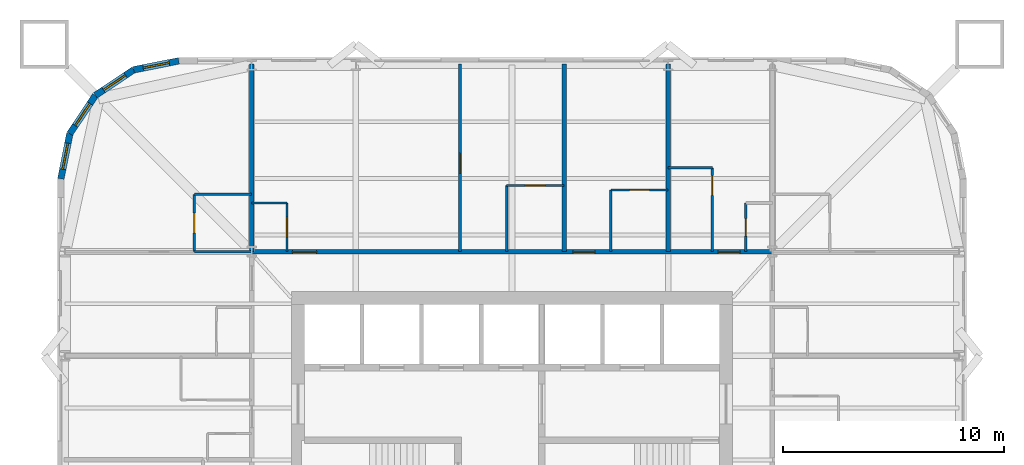
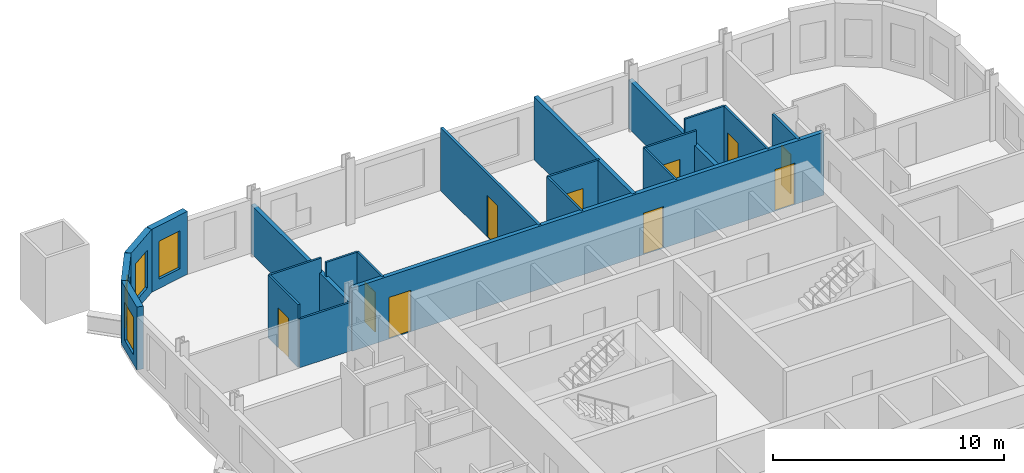
# One storey, part 7 of 9: 21 walls, 10 doors, 4 windows, 14 openings.
"""IFC4 building model written with IfcOpenShell, lengths in metres."""

from ifc_helpers import new_model, si_unit, direction, frame, frame_2d, origin, place, context, subcontext, project, spatial, rectangle, extrude, material, layer, layer_set, type_object, element, fill, save


model = new_model("IFC4")

# Units and contexts
model_context = context("Model", 3, precision=1e-05, world=origin(), true_north=direction((0.0, 1.0)))
body_context = subcontext(model_context, "Body", "Model", "MODEL_VIEW")
ifc_project = project(units=[si_unit("LENGTHUNIT", "METRE"), si_unit("AREAUNIT", "SQUARE_METRE"), si_unit("VOLUMEUNIT", "CUBIC_METRE"), si_unit("PLANEANGLEUNIT", "RADIAN"), si_unit("MASSUNIT", "GRAM", prefix="KILO")], contexts=[model_context])

# Site, building, storey
site_placement = place(None, origin())
site = spatial("IfcSite", under=ifc_project, at=site_placement, CompositionType="ELEMENT")
building_placement = place(site_placement, origin())
building = spatial("IfcBuilding", under=site, at=building_placement, Name="Turquesa Mirador Hotel Tower", CompositionType="ELEMENT")
storey_placement = place(building_placement, frame((0.0, 0.0, 135.39990234375)))
storey = spatial("IfcBuildingStorey", under=building, at=storey_placement, Name="L36", CompositionType="ELEMENT", Elevation=135.39990234375)

# Walls
ifc_material_1 = material(Name="Gypsum board on steel studs", Category="steel")
ifc_layer_1 = layer(ifc_material_1, 0.10009765625)
ifc_layer_set_1 = layer_set([ifc_layer_1], Name="BATHROOM WALL 100")
wall_type_1 = type_object("IfcWallType", Name="BATHROOM WALL 100", PredefinedType="PARTITIONING", material=ifc_layer_set_1)
wall_1_placement = place(storey_placement, frame((40.60009765625, 56.800048828125, 0.0), z_axis=(0.0, 0.0, 1.0), x_axis=(1.0, 0.0, 0.0)))
element("IfcWall", 1, at=wall_1_placement, inside=storey, type_object=wall_type_1, Name="Partition L36 026", PredefinedType="PARTITIONING", context=body_context, shape_type="SweptSolid", body=[
    extrude(rectangle(XDim=2.599853515625, YDim=0.10009765625, at=frame_2d((1.2998046875, 0.0))), origin(), (0.0, 0.0, 1.0), 2.5732421875),
])
wall_2_placement = place(storey_placement, frame((43.199951171875, 59.0, 0.0), z_axis=(0.0, 0.0, 1.0), x_axis=(1.0, 0.0, 0.0)))
element("IfcWall", 2, at=wall_2_placement, inside=storey, type_object=wall_type_1, Name="Partition L36 031", PredefinedType="PARTITIONING", context=body_context, shape_type="SweptSolid", body=[
    extrude(rectangle(XDim=1.60009765625, YDim=0.10009765625, at=frame_2d((0.800048828125, 0.0))), origin(), (0.0, 0.0, 1.0), 3.330078125),
])
wall_3_placement = place(storey_placement, frame((40.60009765625, 59.39990234375, 0.0), z_axis=(0.0, 0.0, 1.0), x_axis=(1.0, 0.0, 0.0)))
element("IfcWall", 3, at=wall_3_placement, inside=storey, type_object=wall_type_1, Name="Partition L36 033", PredefinedType="PARTITIONING", context=body_context, shape_type="SweptSolid", body=[
    extrude(rectangle(XDim=2.599853515625, YDim=0.10009765625, at=frame_2d((1.2998046875, 0.0))), origin(), (0.0, 0.0, 1.0), 3.330078125),
])

# Wall, opening, door
wall_4_placement = place(storey_placement, frame((59.47998046875, 59.60009765625, 0.0), z_axis=(0.0, 0.0, 1.0), x_axis=(1.0, 0.0, 0.0)))
wall_4 = element("IfcWall", 4, at=wall_4_placement, inside=storey, type_object=wall_type_1, Name="Partition L36 035", PredefinedType="PARTITIONING", context=body_context, shape_type="SweptSolid", body=[
    extrude(rectangle(XDim=2.60009765625, YDim=0.10009765625, at=frame_2d((1.300048828125, 0.0))), origin(), (0.0, 0.0, 1.0), 3.330078125),
])
opening_1_placement = place(wall_4_placement, frame((0.85009765625, 0.0, 0.0)))
opening_1 = element("IfcOpeningElement", 5, at=opening_1_placement, cuts=wall_4, Name="Opening D02", PredefinedType="OPENING", context=body_context, shape_type="SweptSolid", body=[
    extrude(rectangle(XDim=0.89990234375, YDim=2.10009765625, at=frame_2d((0.449951171875, 1.050048828125))), frame((0.0, 0.06005859375, 0.0), z_axis=(0.0, -1.0, 0.0), x_axis=(1.0, 0.0, 0.0)), (0.0, 0.0, 1.0), 0.1201171875),
])
ifc_material_2 = material(Name="Timber veneered door", Category="wood")
door_type_1 = type_object("IfcDoorType", Name="DOOR 900X2100 EN-SUITE", OperationType="SINGLE_SWING_RIGHT", PredefinedType="DOOR", material=ifc_material_2)
door_1_placement = place(opening_1_placement, origin())
door_1 = element("IfcDoor", 6, at=door_1_placement, inside=storey, type_object=door_type_1, Name="Door 3602B", OperationType="SINGLE_SWING_RIGHT", OverallHeight=2.10009765625, OverallWidth=0.89990234375, PredefinedType="DOOR", context=body_context, shape_type="SweptSolid", body=[
    extrude(rectangle(XDim=0.89990234375, YDim=2.10009765625, at=frame_2d((0.449951171875, 1.050048828125))), frame((0.0, 0.02490234375, 0.0), z_axis=(0.0, -1.0, 0.0), x_axis=(1.0, 0.0, 0.0)), (0.0, 0.0, 1.0), 0.050048828125),
])
fill(opening_1, door_1)

wall_5_placement = place(storey_placement, frame((54.760009765625, 59.800048828125, 0.0), z_axis=(0.0, 0.0, 1.0), x_axis=(1.0, 0.0, 0.0)))
wall_5 = element("IfcWall", 7, at=wall_5_placement, inside=storey, type_object=wall_type_1, Name="Partition L36 036", PredefinedType="PARTITIONING", context=body_context, shape_type="SweptSolid", body=[
    extrude(rectangle(XDim=2.60009765625, YDim=0.10009765625, at=frame_2d((1.300048828125, 0.0))), origin(), (0.0, 0.0, 1.0), 3.330078125),
])
opening_2_placement = place(wall_5_placement, frame((0.85009765625, 0.0, 0.0)))
opening_2 = element("IfcOpeningElement", 8, at=opening_2_placement, cuts=wall_5, Name="Opening D02", PredefinedType="OPENING", context=body_context, shape_type="SweptSolid", body=[
    extrude(rectangle(XDim=0.89990234375, YDim=2.10009765625, at=frame_2d((0.449951171875, 1.050048828125))), frame((0.0, 0.06005859375, 0.0), z_axis=(0.0, -1.0, 0.0), x_axis=(1.0, 0.0, 0.0)), (0.0, 0.0, 1.0), 0.1201171875),
])
door_2_placement = place(opening_2_placement, origin())
door_2 = element("IfcDoor", 9, at=door_2_placement, inside=storey, type_object=door_type_1, Name="Door 3601B", OperationType="SINGLE_SWING_RIGHT", OverallHeight=2.10009765625, OverallWidth=0.89990234375, PredefinedType="DOOR", context=body_context, shape_type="SweptSolid", body=[
    extrude(rectangle(XDim=0.89990234375, YDim=2.10009765625, at=frame_2d((0.449951171875, 1.050048828125))), frame((0.0, 0.02490234375, 0.0), z_axis=(0.0, -1.0, 0.0), x_axis=(1.0, 0.0, 0.0)), (0.0, 0.0, 1.0), 0.050048828125),
])
fill(opening_2, door_2)

# Walls
wall_6_placement = place(storey_placement, frame((62.080078125, 60.60009765625, 0.0), z_axis=(0.0, 0.0, 1.0), x_axis=(1.0, 0.0, 0.0)))
element("IfcWall", 10, at=wall_6_placement, inside=storey, type_object=wall_type_1, Name="Partition L36 037", PredefinedType="PARTITIONING", context=body_context, shape_type="SweptSolid", body=[
    extrude(rectangle(XDim=2.0, YDim=0.10009765625, at=frame_2d((1.0, 0.0))), origin(), (0.0, 0.0, 1.0), 3.330078125),
])
wall_7_placement = place(storey_placement, frame((54.760009765625, 56.800048828125, 0.0), z_axis=(0.0, 0.0, 1.0), x_axis=(0.0, 1.0, 0.0)))
element("IfcWall", 11, at=wall_7_placement, inside=storey, type_object=wall_type_1, Name="Partition L36 049", PredefinedType="PARTITIONING", context=body_context, shape_type="SweptSolid", body=[
    extrude(rectangle(XDim=3.0, YDim=0.10009765625, at=frame_2d((1.5, 0.0))), origin(), (0.0, 0.0, 1.0), 3.330078125),
])

# Wall, opening, door
wall_8_placement = place(storey_placement, frame((44.800048828125, 56.800048828125, 0.0), z_axis=(0.0, 0.0, 1.0), x_axis=(0.0, 1.0, 0.0)))
wall_8 = element("IfcWall", 12, at=wall_8_placement, inside=storey, type_object=wall_type_1, Name="Partition L36 050", PredefinedType="PARTITIONING", context=body_context, shape_type="SweptSolid", body=[
    extrude(rectangle(XDim=2.199951171875, YDim=0.10009765625, at=frame_2d((1.10009765625, 0.0))), origin(), (0.0, 0.0, 1.0), 3.330078125),
])
opening_3_placement = place(wall_8_placement, frame((0.64990234375, 0.0, 0.0)))
opening_3 = element("IfcOpeningElement", 13, at=opening_3_placement, cuts=wall_8, Name="Opening D06", PredefinedType="OPENING", context=body_context, shape_type="SweptSolid", body=[
    extrude(rectangle(XDim=0.89990234375, YDim=2.10009765625, at=frame_2d((0.449951171875, 1.050048828125))), frame((0.0, 0.06005859375, 0.0), z_axis=(0.0, -1.0, 0.0), x_axis=(1.0, 0.0, 0.0)), (0.0, 0.0, 1.0), 0.1201171875),
])
ifc_material_3 = material(Name="Laminate door", Category="wood")
door_type_2 = type_object("IfcDoorType", Name="DOOR 900X2100 WC", OperationType="SINGLE_SWING_LEFT", PredefinedType="DOOR", material=ifc_material_3)
door_3_placement = place(opening_3_placement, origin())
door_3 = element("IfcDoor", 14, at=door_3_placement, inside=storey, type_object=door_type_2, Name="Door 3601W", OperationType="SINGLE_SWING_LEFT", OverallHeight=2.10009765625, OverallWidth=0.89990234375, PredefinedType="DOOR", context=body_context, shape_type="SweptSolid", body=[
    extrude(rectangle(XDim=0.89990234375, YDim=2.10009765625, at=frame_2d((0.449951171875, 1.050048828125))), frame((0.0, 0.02490234375, 0.0), z_axis=(0.0, -1.0, 0.0), x_axis=(1.0, 0.0, 0.0)), (0.0, 0.0, 1.0), 0.050048828125),
])
fill(opening_3, door_3)

wall_9_placement = place(storey_placement, frame((40.60009765625, 56.800048828125, 0.0), z_axis=(0.0, 0.0, 1.0), x_axis=(0.0, 1.0, 0.0)))
wall_9 = element("IfcWall", 15, at=wall_9_placement, inside=storey, type_object=wall_type_1, Name="Partition L36 060", PredefinedType="PARTITIONING", context=body_context, shape_type="SweptSolid", body=[
    extrude(rectangle(XDim=2.599853515625, YDim=0.10009765625, at=frame_2d((1.2998046875, 0.0))), origin(), (0.0, 0.0, 1.0), 3.330078125),
])
opening_4_placement = place(wall_9_placement, frame((0.85009765625, 0.0, 0.0)))
opening_4 = element("IfcOpeningElement", 16, at=opening_4_placement, cuts=wall_9, Name="Opening D02", PredefinedType="OPENING", context=body_context, shape_type="SweptSolid", body=[
    extrude(rectangle(XDim=0.89990234375, YDim=2.10009765625, at=frame_2d((0.449951171875, 1.050048828125))), frame((0.0, 0.06005859375, 0.0), z_axis=(0.0, -1.0, 0.0), x_axis=(1.0, 0.0, 0.0)), (0.0, 0.0, 1.0), 0.1201171875),
])
door_4_placement = place(opening_4_placement, origin())
door_4 = element("IfcDoor", 17, at=door_4_placement, inside=storey, type_object=door_type_1, Name="Door 3615B", OperationType="SINGLE_SWING_RIGHT", OverallHeight=2.10009765625, OverallWidth=0.89990234375, PredefinedType="DOOR", context=body_context, shape_type="SweptSolid", body=[
    extrude(rectangle(XDim=0.89990234375, YDim=2.10009765625, at=frame_2d((0.449951171875, 1.050048828125))), frame((0.0, 0.02490234375, 0.0), z_axis=(0.0, -1.0, 0.0), x_axis=(1.0, 0.0, 0.0)), (0.0, 0.0, 1.0), 0.050048828125),
])
fill(opening_4, door_4)

# Wall
wall_10_placement = place(storey_placement, frame((59.47998046875, 56.800048828125, 0.0), z_axis=(0.0, 0.0, 1.0), x_axis=(0.0, 1.0, 0.0)))
element("IfcWall", 18, at=wall_10_placement, inside=storey, type_object=wall_type_1, Name="Partition L36 082", PredefinedType="PARTITIONING", context=body_context, shape_type="SweptSolid", body=[
    extrude(rectangle(XDim=2.800048828125, YDim=0.10009765625, at=frame_2d((1.39990234375, 0.0))), origin(), (0.0, 0.0, 1.0), 3.330078125),
])

# Wall, opening, door
wall_11_placement = place(storey_placement, frame((64.080078125, 56.800048828125, 0.0), z_axis=(0.0, 0.0, 1.0), x_axis=(0.0, 1.0, 0.0)))
wall_11 = element("IfcWall", 19, at=wall_11_placement, inside=storey, type_object=wall_type_1, Name="Partition L36 087", PredefinedType="PARTITIONING", context=body_context, shape_type="SweptSolid", body=[
    extrude(rectangle(XDim=3.800048828125, YDim=0.10009765625, at=frame_2d((1.89990234375, 0.0))), origin(), (0.0, 0.0, 1.0), 3.330078125),
])
opening_5_placement = place(wall_11_placement, frame((2.550048828125, 0.0, 0.0)))
opening_5 = element("IfcOpeningElement", 20, at=opening_5_placement, cuts=wall_11, Name="Opening D02", PredefinedType="OPENING", context=body_context, shape_type="SweptSolid", body=[
    extrude(rectangle(XDim=0.89990234375, YDim=2.10009765625, at=frame_2d((0.449951171875, 1.050048828125))), frame((0.0, 0.06005859375, 0.0), z_axis=(0.0, -1.0, 0.0), x_axis=(1.0, 0.0, 0.0)), (0.0, 0.0, 1.0), 0.1201171875),
])
door_5_placement = place(opening_5_placement, origin())
door_5 = element("IfcDoor", 21, at=door_5_placement, inside=storey, type_object=door_type_1, Name="Door 3603B", OperationType="SINGLE_SWING_RIGHT", OverallHeight=2.10009765625, OverallWidth=0.89990234375, PredefinedType="DOOR", context=body_context, shape_type="SweptSolid", body=[
    extrude(rectangle(XDim=0.89990234375, YDim=2.10009765625, at=frame_2d((0.449951171875, 1.050048828125))), frame((0.0, 0.02490234375, 0.0), z_axis=(0.0, -1.0, 0.0), x_axis=(1.0, 0.0, 0.0)), (0.0, 0.0, 1.0), 0.050048828125),
])
fill(opening_5, door_5)

# Wall, openings, doors
ifc_material_4 = material(Name="Fire-rated gypsum board on steel studs", Category="steel")
ifc_layer_2 = layer(ifc_material_4, 0.199951171875)
ifc_layer_set_2 = layer_set([ifc_layer_2], Name="CORRIDOR WALL 200")
wall_type_2 = type_object("IfcWallType", Name="CORRIDOR WALL 200", PredefinedType="PARTITIONING", material=ifc_layer_set_2)
wall_12_placement = place(storey_placement, frame((43.199951171875, 56.800048828125, 0.0), z_axis=(0.0, 0.0, 1.0), x_axis=(1.0, 0.0, 0.0)))
wall_12 = element("IfcWall", 22, at=wall_12_placement, inside=storey, type_object=wall_type_2, Name="Partition L36 028", PredefinedType="PARTITIONING", context=body_context, shape_type="SweptSolid", body=[
    extrude(rectangle(XDim=23.60009765625, YDim=0.199951171875, at=frame_2d((11.800048828125, 0.0))), origin(), (0.0, 0.0, 1.0), 3.330078125),
])
opening_6_placement = place(wall_12_placement, frame((1.85009765625, 0.0, 0.0)))
opening_6 = element("IfcOpeningElement", 23, at=opening_6_placement, cuts=wall_12, Name="Opening D15", PredefinedType="OPENING", context=body_context, shape_type="SweptSolid", body=[
    extrude(rectangle(XDim=1.10009765625, YDim=2.199951171875, at=frame_2d((0.550048828125, 1.10009765625))), frame((0.0, 0.10986328125, 0.0), z_axis=(0.0, -1.0, 0.0), x_axis=(1.0, 0.0, 0.0)), (0.0, 0.0, 1.0), 0.219970703125),
])
opening_7_placement = place(wall_12_placement, frame((14.56005859375, 0.0, 0.0)))
opening_7 = element("IfcOpeningElement", 24, at=opening_7_placement, cuts=wall_12, Name="Opening D01", PredefinedType="OPENING", context=body_context, shape_type="SweptSolid", body=[
    extrude(rectangle(XDim=1.0, YDim=2.199951171875, at=frame_2d((0.5, 1.10009765625))), frame((0.0, 0.10986328125, 0.0), z_axis=(0.0, -1.0, 0.0), x_axis=(1.0, 0.0, 0.0)), (0.0, 0.0, 1.0), 0.219970703125),
])
opening_8_placement = place(wall_12_placement, frame((21.139892578125, 0.0, 0.0)))
opening_8 = element("IfcOpeningElement", 25, at=opening_8_placement, cuts=wall_12, Name="Opening D01", PredefinedType="OPENING", context=body_context, shape_type="SweptSolid", body=[
    extrude(rectangle(XDim=1.0, YDim=2.199951171875, at=frame_2d((0.5, 1.10009765625))), frame((0.0, 0.10986328125, 0.0), z_axis=(0.0, -1.0, 0.0), x_axis=(1.0, 0.0, 0.0)), (0.0, 0.0, 1.0), 0.219970703125),
])
ifc_material_5 = material(Name="Timber veneered fire door", Category="wood")
door_type_3 = type_object("IfcDoorType", Name="DOOR 1000X2200 GUEST ENTRY", OperationType="SINGLE_SWING_LEFT", PredefinedType="DOOR", material=ifc_material_5)
door_6_placement = place(opening_7_placement, origin())
door_6 = element("IfcDoor", 26, at=door_6_placement, inside=storey, type_object=door_type_3, Name="Door 3602", OperationType="SINGLE_SWING_LEFT", OverallHeight=2.199951171875, OverallWidth=1.0, PredefinedType="DOOR", context=body_context, shape_type="SweptSolid", body=[
    extrude(rectangle(XDim=1.0, YDim=2.199951171875, at=frame_2d((0.5, 1.10009765625))), frame((0.0, 0.02490234375, 0.0), z_axis=(0.0, -1.0, 0.0), x_axis=(1.0, 0.0, 0.0)), (0.0, 0.0, 1.0), 0.050048828125),
])
fill(opening_7, door_6)
door_7_placement = place(opening_8_placement, origin())
door_7 = element("IfcDoor", 27, at=door_7_placement, inside=storey, type_object=door_type_3, Name="Door 3603", OperationType="SINGLE_SWING_LEFT", OverallHeight=2.199951171875, OverallWidth=1.0, PredefinedType="DOOR", context=body_context, shape_type="SweptSolid", body=[
    extrude(rectangle(XDim=1.0, YDim=2.199951171875, at=frame_2d((0.5, 1.10009765625))), frame((0.0, 0.02490234375, 0.0), z_axis=(0.0, -1.0, 0.0), x_axis=(1.0, 0.0, 0.0)), (0.0, 0.0, 1.0), 0.050048828125),
])
fill(opening_8, door_7)
ifc_material_6 = material(Name="Timber veneered fire door", Category="wood")
door_type_4 = type_object("IfcDoorType", Name="DOOR 1100X2200 SUITE ENTRY", OperationType="SINGLE_SWING_LEFT", PredefinedType="DOOR", material=ifc_material_6)
door_8_placement = place(opening_6_placement, origin())
door_8 = element("IfcDoor", 28, at=door_8_placement, inside=storey, type_object=door_type_4, Name="Door 3601", OperationType="SINGLE_SWING_LEFT", OverallHeight=2.199951171875, OverallWidth=1.10009765625, PredefinedType="DOOR", context=body_context, shape_type="SweptSolid", body=[
    extrude(rectangle(XDim=1.10009765625, YDim=2.199951171875, at=frame_2d((0.550048828125, 1.10009765625))), frame((0.0, 0.02490234375, 0.0), z_axis=(0.0, -1.0, 0.0), x_axis=(1.0, 0.0, 0.0)), (0.0, 0.0, 1.0), 0.050048828125),
])
fill(opening_6, door_8)

# Wall, opening, window
ifc_material_7 = material(Name="Limestone cladding on concrete block", Category="masonry")
ifc_layer_3 = layer(ifc_material_7, 0.300048828125)
ifc_layer_set_3 = layer_set([ifc_layer_3], Name="FACADE WALL 300 STONE SCREEN")
wall_type_3 = type_object("IfcWallType", Name="FACADE WALL 300 STONE SCREEN", PredefinedType="SOLIDWALL", material=ifc_layer_set_3)
wall_13_placement = place(storey_placement, frame((39.89990234375, 65.449951171875, 0.0), z_axis=(0.0, 0.0, 1.0), x_axis=(-0.980787050784, -0.195081421501, 0.0)))
wall_13 = element("IfcWall", 29, at=wall_13_placement, inside=storey, type_object=wall_type_3, Name="Facade wall L36 10", PredefinedType="SOLIDWALL", context=body_context, shape_type="SweptSolid", body=[
    extrude(rectangle(XDim=2.08740234375, YDim=0.300048828125, at=frame_2d((1.043701171875, 0.0))), origin(), (0.0, 0.0, 1.0), 3.330078125),
])
opening_9_placement = place(wall_13_placement, frame((0.443603515625, 0.0, 0.5)))
opening_9 = element("IfcOpeningElement", 30, at=opening_9_placement, cuts=wall_13, Name="Opening WN4", PredefinedType="OPENING", context=body_context, shape_type="SweptSolid", body=[
    extrude(rectangle(XDim=1.199951171875, YDim=2.0, at=frame_2d((0.60009765625, 1.0))), frame((0.0, 0.159912109375, 0.0), z_axis=(0.0, -1.0, 0.0), x_axis=(1.0, 0.0, 0.0)), (0.0, 0.0, 1.0), 0.320068359375),
])
ifc_material_8 = material(Name="Ceramic-fritted laminated glass", Category="glass")
window_type = type_object("IfcWindowType", Name="FRITTED CORNER WINDOW 1200X2000", PartitioningType="DOUBLE_PANEL_HORIZONTAL", PredefinedType="WINDOW", material=ifc_material_8)
window_1_placement = place(opening_9_placement, origin())
window_1 = element("IfcWindow", 31, at=window_1_placement, inside=storey, type_object=window_type, Name="Window L36", OverallHeight=2.0, OverallWidth=1.199951171875, PartitioningType="SINGLE_PANEL", PredefinedType="WINDOW", context=body_context, shape_type="SweptSolid", body=[
    extrude(rectangle(XDim=1.199951171875, YDim=2.0, at=frame_2d((0.60009765625, 1.0))), frame((0.0, 0.030029296875, 0.0), z_axis=(0.0, -1.0, 0.0), x_axis=(1.0, 0.0, 0.0)), (0.0, 0.0, 1.0), 0.06005859375),
])
fill(opening_9, window_1)

wall_14_placement = place(storey_placement, frame((37.8525390625, 65.042724609375, 0.0), z_axis=(0.0, 0.0, 1.0), x_axis=(-0.831474039234, -0.555563607591, 0.0)))
wall_14 = element("IfcWall", 32, at=wall_14_placement, inside=storey, type_object=wall_type_3, Name="Facade wall L36 11", PredefinedType="SOLIDWALL", context=body_context, shape_type="SweptSolid", body=[
    extrude(rectangle(XDim=2.08740234375, YDim=0.300048828125, at=frame_2d((1.043701171875, 0.0))), origin(), (0.0, 0.0, 1.0), 3.330078125),
])
opening_10_placement = place(wall_14_placement, frame((0.443603515625, 0.0, 0.5)))
opening_10 = element("IfcOpeningElement", 33, at=opening_10_placement, cuts=wall_14, Name="Opening WN4", PredefinedType="OPENING", context=body_context, shape_type="SweptSolid", body=[
    extrude(rectangle(XDim=1.199951171875, YDim=2.0, at=frame_2d((0.60009765625, 1.0))), frame((0.0, 0.159912109375, 0.0), z_axis=(0.0, -1.0, 0.0), x_axis=(1.0, 0.0, 0.0)), (0.0, 0.0, 1.0), 0.320068359375),
])
window_2_placement = place(opening_10_placement, origin())
window_2 = element("IfcWindow", 34, at=window_2_placement, inside=storey, type_object=window_type, Name="Window L36", OverallHeight=2.0, OverallWidth=1.199951171875, PartitioningType="SINGLE_PANEL", PredefinedType="WINDOW", context=body_context, shape_type="SweptSolid", body=[
    extrude(rectangle(XDim=1.199951171875, YDim=2.0, at=frame_2d((0.60009765625, 1.0))), frame((0.0, 0.030029296875, 0.0), z_axis=(0.0, -1.0, 0.0), x_axis=(1.0, 0.0, 0.0)), (0.0, 0.0, 1.0), 0.06005859375),
])
fill(opening_10, window_2)

wall_15_placement = place(storey_placement, frame((36.116943359375, 63.883056640625, 0.0), z_axis=(0.0, 0.0, 1.0), x_axis=(-0.555563607591, -0.831474039234, 0.0)))
wall_15 = element("IfcWall", 35, at=wall_15_placement, inside=storey, type_object=wall_type_3, Name="Facade wall L36 12", PredefinedType="SOLIDWALL", context=body_context, shape_type="SweptSolid", body=[
    extrude(rectangle(XDim=2.08740234375, YDim=0.300048828125, at=frame_2d((1.043701171875, 0.0))), origin(), (0.0, 0.0, 1.0), 3.330078125),
])
opening_11_placement = place(wall_15_placement, frame((0.443603515625, 0.0, 0.5)))
opening_11 = element("IfcOpeningElement", 36, at=opening_11_placement, cuts=wall_15, Name="Opening WN4", PredefinedType="OPENING", context=body_context, shape_type="SweptSolid", body=[
    extrude(rectangle(XDim=1.199951171875, YDim=2.0, at=frame_2d((0.60009765625, 1.0))), frame((0.0, 0.159912109375, 0.0), z_axis=(0.0, -1.0, 0.0), x_axis=(1.0, 0.0, 0.0)), (0.0, 0.0, 1.0), 0.320068359375),
])
window_3_placement = place(opening_11_placement, origin())
window_3 = element("IfcWindow", 37, at=window_3_placement, inside=storey, type_object=window_type, Name="Window L36", OverallHeight=2.0, OverallWidth=1.199951171875, PartitioningType="SINGLE_PANEL", PredefinedType="WINDOW", context=body_context, shape_type="SweptSolid", body=[
    extrude(rectangle(XDim=1.199951171875, YDim=2.0, at=frame_2d((0.60009765625, 1.0))), frame((0.0, 0.030029296875, 0.0), z_axis=(0.0, -1.0, 0.0), x_axis=(1.0, 0.0, 0.0)), (0.0, 0.0, 1.0), 0.06005859375),
])
fill(opening_11, window_3)

wall_16_placement = place(storey_placement, frame((34.957275390625, 62.1474609375, 0.0), z_axis=(0.0, 0.0, 1.0), x_axis=(-0.195081421501, -0.980787050784, 0.0)))
wall_16 = element("IfcWall", 38, at=wall_16_placement, inside=storey, type_object=wall_type_3, Name="Facade wall L36 13", PredefinedType="SOLIDWALL", context=body_context, shape_type="SweptSolid", body=[
    extrude(rectangle(XDim=2.08740234375, YDim=0.300048828125, at=frame_2d((1.043701171875, 0.0))), origin(), (0.0, 0.0, 1.0), 3.330078125),
])
opening_12_placement = place(wall_16_placement, frame((0.443603515625, 0.0, 0.5)))
opening_12 = element("IfcOpeningElement", 39, at=opening_12_placement, cuts=wall_16, Name="Opening WN4", PredefinedType="OPENING", context=body_context, shape_type="SweptSolid", body=[
    extrude(rectangle(XDim=1.199951171875, YDim=2.0, at=frame_2d((0.60009765625, 1.0))), frame((0.0, 0.159912109375, 0.0), z_axis=(0.0, -1.0, 0.0), x_axis=(1.0, 0.0, 0.0)), (0.0, 0.0, 1.0), 0.320068359375),
])
window_4_placement = place(opening_12_placement, origin())
window_4 = element("IfcWindow", 40, at=window_4_placement, inside=storey, type_object=window_type, Name="Window L36", OverallHeight=2.0, OverallWidth=1.199951171875, PartitioningType="SINGLE_PANEL", PredefinedType="WINDOW", context=body_context, shape_type="SweptSolid", body=[
    extrude(rectangle(XDim=1.199951171875, YDim=2.0, at=frame_2d((0.60009765625, 1.0))), frame((0.0, 0.030029296875, 0.0), z_axis=(0.0, -1.0, 0.0), x_axis=(1.0, 0.0, 0.0)), (0.0, 0.0, 1.0), 0.06005859375),
])
fill(opening_12, window_4)

# Walls
ifc_material_9 = material(Name="Fire-rated gypsum board on steel studs", Category="steel")
ifc_layer_4 = layer(ifc_material_9, 0.199951171875)
ifc_layer_set_4 = layer_set([ifc_layer_4], Name="PARTY WALL 200")
wall_type_4 = type_object("IfcWallType", Name="PARTY WALL 200", PredefinedType="PARTITIONING", material=ifc_layer_set_4)
wall_17_placement = place(storey_placement, frame((43.199951171875, 56.800048828125, 0.0), z_axis=(0.0, 0.0, 1.0), x_axis=(0.0, 1.0, 0.0)))
element("IfcWall", 41, at=wall_17_placement, inside=storey, type_object=wall_type_4, Name="Partition L36 053", PredefinedType="PARTITIONING", context=body_context, shape_type="SweptSolid", body=[
    extrude(rectangle(XDim=8.5, YDim=0.199951171875, at=frame_2d((4.25, 0.0))), origin(), (0.0, 0.0, 1.0), 2.5732421875),
])
wall_18_placement = place(storey_placement, frame((57.360107421875, 56.800048828125, 0.0), z_axis=(0.0, 0.0, 1.0), x_axis=(0.0, 1.0, 0.0)))
element("IfcWall", 42, at=wall_18_placement, inside=storey, type_object=wall_type_4, Name="Partition L36 081", PredefinedType="PARTITIONING", context=body_context, shape_type="SweptSolid", body=[
    extrude(rectangle(XDim=8.5, YDim=0.199951171875, at=frame_2d((4.25, 0.0))), origin(), (0.0, 0.0, 1.0), 3.330078125),
])
wall_19_placement = place(storey_placement, frame((62.080078125, 56.800048828125, 0.0), z_axis=(0.0, 0.0, 1.0), x_axis=(0.0, 1.0, 0.0)))
element("IfcWall", 43, at=wall_19_placement, inside=storey, type_object=wall_type_4, Name="Partition L36 085", PredefinedType="PARTITIONING", context=body_context, shape_type="SweptSolid", body=[
    extrude(rectangle(XDim=8.5, YDim=0.199951171875, at=frame_2d((4.25, 0.0))), origin(), (0.0, 0.0, 1.0), 2.5732421875),
])

# Wall, opening, door
ifc_material_10 = material(Name="Acoustic gypsum board on steel studs", Category="steel")
ifc_layer_5 = layer(ifc_material_10, 0.125)
ifc_layer_set_5 = layer_set([ifc_layer_5], Name="SUITE PARTITION 125")
wall_type_5 = type_object("IfcWallType", Name="SUITE PARTITION 125", PredefinedType="PARTITIONING", material=ifc_layer_set_5)
wall_20_placement = place(storey_placement, frame((52.639892578125, 56.800048828125, 0.0), z_axis=(0.0, 0.0, 1.0), x_axis=(0.0, 1.0, 0.0)))
wall_20 = element("IfcWall", 44, at=wall_20_placement, inside=storey, type_object=wall_type_5, Name="Partition L36 065", PredefinedType="PARTITIONING", context=body_context, shape_type="SweptSolid", body=[
    extrude(rectangle(XDim=8.5, YDim=0.125, at=frame_2d((4.25, 0.0))), origin(), (0.0, 0.0, 1.0), 3.330078125),
])
opening_13_placement = place(wall_20_placement, frame((3.550048828125, 0.0, 0.0)))
opening_13 = element("IfcOpeningElement", 45, at=opening_13_placement, cuts=wall_20, Name="Opening D17", PredefinedType="OPENING", context=body_context, shape_type="SweptSolid", body=[
    extrude(rectangle(XDim=0.89990234375, YDim=2.199951171875, at=frame_2d((0.449951171875, 1.10009765625))), frame((0.0, 0.072509765625, 0.0), z_axis=(0.0, -1.0, 0.0), x_axis=(1.0, 0.0, 0.0)), (0.0, 0.0, 1.0), 0.14501953125),
])
ifc_material_11 = material(Name="Timber veneered door", Category="wood")
door_type_5 = type_object("IfcDoorType", Name="DOOR 900X2200 SUITE INTERNAL", OperationType="SINGLE_SWING_LEFT", PredefinedType="DOOR", material=ifc_material_11)
door_9_placement = place(opening_13_placement, origin())
door_9 = element("IfcDoor", 46, at=door_9_placement, inside=storey, type_object=door_type_5, Name="Door 3601R", OperationType="SINGLE_SWING_LEFT", OverallHeight=2.199951171875, OverallWidth=0.89990234375, PredefinedType="DOOR", context=body_context, shape_type="SweptSolid", body=[
    extrude(rectangle(XDim=0.89990234375, YDim=2.199951171875, at=frame_2d((0.449951171875, 1.10009765625))), frame((0.0, 0.02490234375, 0.0), z_axis=(0.0, -1.0, 0.0), x_axis=(1.0, 0.0, 0.0)), (0.0, 0.0, 1.0), 0.050048828125),
])
fill(opening_13, door_9)

wall_21_placement = place(storey_placement, frame((65.60009765625, 56.800048828125, 0.0), z_axis=(0.0, 0.0, 1.0), x_axis=(0.0, 1.0, 0.0)))
wall_21 = element("IfcWall", 47, at=wall_21_placement, inside=storey, type_object=wall_type_5, Name="Partition L36 068", PredefinedType="PARTITIONING", context=body_context, shape_type="SweptSolid", body=[
    extrude(rectangle(XDim=2.199951171875, YDim=0.125, at=frame_2d((1.10009765625, 0.0))), origin(), (0.0, 0.0, 1.0), 3.330078125),
])
opening_14_placement = place(wall_21_placement, frame((0.699951171875, 0.0, 0.0)))
opening_14 = element("IfcOpeningElement", 48, at=opening_14_placement, cuts=wall_21, Name="Opening D20", PredefinedType="OPENING", context=body_context, shape_type="SweptSolid", body=[
    extrude(rectangle(XDim=0.800048828125, YDim=2.10009765625, at=frame_2d((0.39990234375, 1.050048828125))), frame((0.0, 0.072509765625, 0.0), z_axis=(0.0, -1.0, 0.0), x_axis=(1.0, 0.0, 0.0)), (0.0, 0.0, 1.0), 0.14501953125),
])
ifc_material_12 = material(Name="Timber veneered sliding door", Category="wood")
door_type_6 = type_object("IfcDoorType", Name="DOOR 800X2100 WARDROBE", OperationType="SLIDING_TO_LEFT", PredefinedType="DOOR", material=ifc_material_12)
door_10_placement = place(opening_14_placement, origin())
door_10 = element("IfcDoor", 49, at=door_10_placement, inside=storey, type_object=door_type_6, Name="Door 3603W", OperationType="SLIDING_TO_LEFT", OverallHeight=2.10009765625, OverallWidth=0.800048828125, PredefinedType="DOOR", context=body_context, shape_type="SweptSolid", body=[
    extrude(rectangle(XDim=0.800048828125, YDim=2.10009765625, at=frame_2d((0.39990234375, 1.050048828125))), frame((0.0, 0.02490234375, 0.0), z_axis=(0.0, -1.0, 0.0), x_axis=(1.0, 0.0, 0.0)), (0.0, 0.0, 1.0), 0.050048828125),
])
fill(opening_14, door_10)

save(model, "model.ifc")
